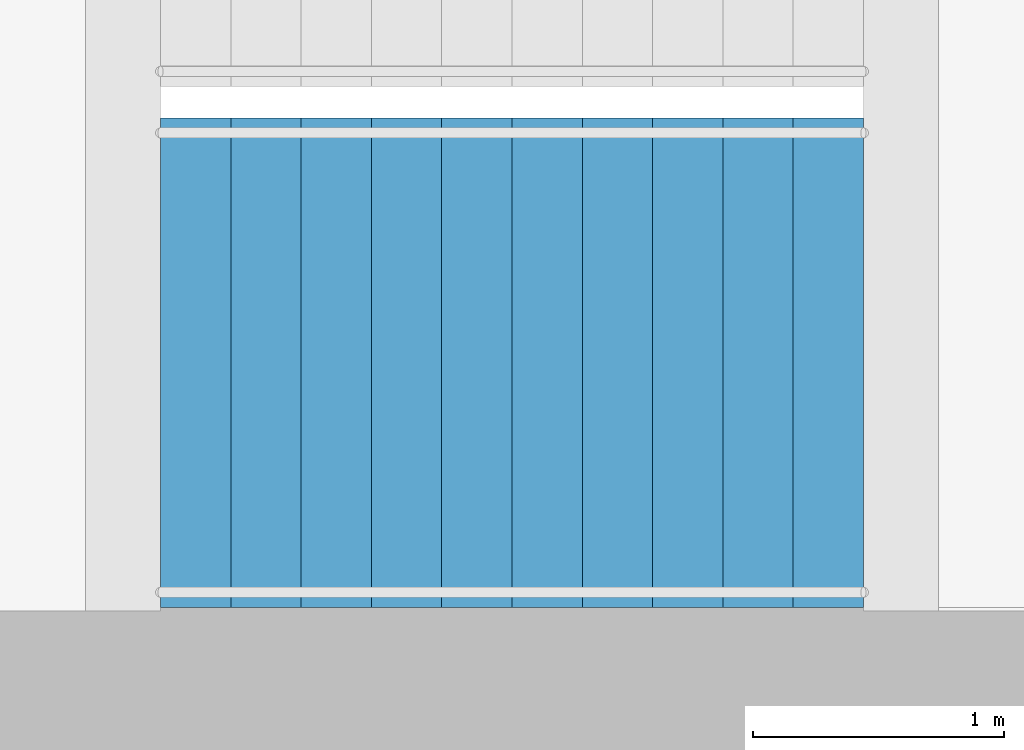
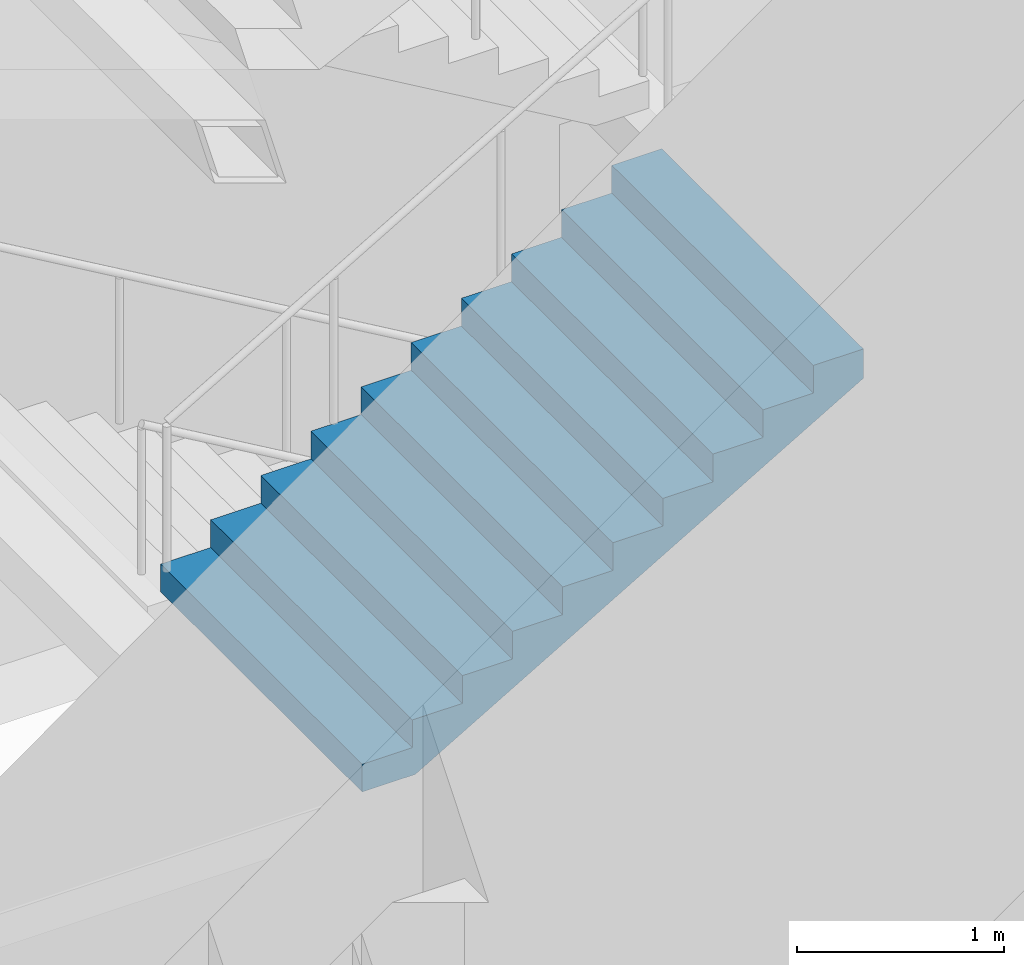
# One storey, part 18 of 22: 1 stair flight, 1 element without a shape of its own.
"""IFC4 building model written with IfcOpenShell, lengths in metres."""

from ifc_helpers import new_model, si_unit, direction, frame, origin, place, context, subcontext, project, spatial, triangles, material, type_object, element, aggregate, save


model = new_model("IFC4")

# Units and contexts
model_context = context("Model", 3, precision=1e-05, world=origin(), true_north=direction((0.0, 1.0)))
body_context = subcontext(model_context, "Body", "Model", "MODEL_VIEW")
ifc_project = project(units=[si_unit("LENGTHUNIT", "METRE"), si_unit("AREAUNIT", "SQUARE_METRE"), si_unit("VOLUMEUNIT", "CUBIC_METRE"), si_unit("PLANEANGLEUNIT", "RADIAN"), si_unit("MASSUNIT", "GRAM", prefix="KILO")], contexts=[model_context])

# Site, building, storey
site_placement = place(None, origin())
site = spatial("IfcSite", under=ifc_project, at=site_placement, CompositionType="ELEMENT")
building_placement = place(site_placement, origin())
building = spatial("IfcBuilding", under=site, at=building_placement, Name="Orbita Commons", CompositionType="ELEMENT")
storey_placement = place(building_placement, frame((0.0, 0.0, 201.10009765625)))
storey = spatial("IfcBuildingStorey", under=building, at=storey_placement, Name="L50", CompositionType="ELEMENT", Elevation=201.10009765625)

# Stair, stair flight
ifc_material_1 = material(Name="Precast concrete C40/50", Category="concrete")
stair_type = type_object("IfcStairType", Name="Exit stair S2 4 flights 11 risers 164", PredefinedType="HALF_TURN_STAIR", material=ifc_material_1)
stair_placement = place(storey_placement, origin())
stair = element("IfcStair", 1, at=stair_placement, inside=storey, type_object=stair_type, Name="Exit stair S2 L50", PredefinedType="HALF_TURN_STAIR")
ifc_material_2 = material(Name="Precast concrete C40/50", Category="concrete")
stair_flight_type = type_object("IfcStairFlightType", Name="Stair flight 11 risers 164 x 280", PredefinedType="STRAIGHT", material=ifc_material_2)
stair_flight_placement = place(storey_placement, frame((60.75, 27.199951171875, 1.7998046875), z_axis=(0.0, 0.0, 1.0), x_axis=(1.0, 0.0, 0.0)))
stair_flight = element("IfcStairFlight", 2, at=stair_flight_placement, type_object=stair_flight_type, Name="S2 flight 2", NumberOfRisers=11, NumberOfTreads=10, PredefinedType="STRAIGHT", RiserHeight=0.163636364, TreadLength=0.28, context=body_context, shape_type="Tessellation", body=[
    triangles([(0.0, 0.974976, 0.0), (0.0, 0.974976, 0.020455), (0.0, 0.81248, 0.020455), (0.0, 0.81248, 0.0), (0.0, 0.649984, 0.020455), (0.0, 0.649984, 0.0), (0.0, 0.487488, 0.020455), (0.0, 0.487488, 0.0), (0.0, 0.324992, 0.020455), (0.0, 0.324992, 0.0), (0.0, 0.162496, 0.020455), (0.0, 0.162496, 0.0), (0.0, 0.0, 0.020455), (0.0, 0.0, 0.0), (0.0, -0.162496, 0.020455), (0.0, -0.162496, 0.0), (0.0, -0.324992, 0.020455), (0.0, -0.324992, 0.0), (0.0, -0.487488, 0.020455), (0.0, -0.487488, 0.0), (0.0, -0.649984, 0.020455), (0.0, -0.649984, 0.0), (0.0, -0.81248, 0.020455), (0.0, -0.81248, 0.0), (0.0, -0.974976, 0.020455), (0.0, -0.974976, 0.0), (0.0, 0.974976, 0.040909), (0.0, 0.81248, 0.040909), (0.0, 0.649984, 0.040909), (0.0, 0.487488, 0.040909), (0.0, 0.324992, 0.040909), (0.0, 0.162496, 0.040909), (0.0, 0.0, 0.040909), (0.0, -0.162496, 0.040909), (0.0, -0.324992, 0.040909), (0.0, -0.487488, 0.040909), (0.0, -0.649984, 0.040909), (0.0, -0.81248, 0.040909), (0.0, -0.974976, 0.040909), (0.0, 0.974976, 0.061364), (0.0, 0.81248, 0.061364), (0.0, 0.649984, 0.061364), (0.0, 0.487488, 0.061364), (0.0, 0.324992, 0.061364), (0.0, 0.162496, 0.061364), (0.0, 0.0, 0.061364), (0.0, -0.162496, 0.061364), (0.0, -0.324992, 0.061364), (0.0, -0.487488, 0.061364), (0.0, -0.649984, 0.061364), (0.0, -0.81248, 0.061364), (0.0, -0.974976, 0.061364), (0.0, 0.974976, 0.081818), (0.0, 0.81248, 0.081818), (0.0, 0.649984, 0.081818), (0.0, 0.487488, 0.081818), (0.0, 0.324992, 0.081818), (0.0, 0.162496, 0.081818), (0.0, 0.0, 0.081818), (0.0, -0.162496, 0.081818), (0.0, -0.324992, 0.081818), (0.0, -0.487488, 0.081818), (0.0, -0.649984, 0.081818), (0.0, -0.81248, 0.081818), (0.0, -0.974976, 0.081818), (0.0, 0.974976, 0.102273), (0.0, 0.81248, 0.102273), (0.0, 0.649984, 0.102273), (0.0, 0.487488, 0.102273), (0.0, 0.324992, 0.102273), (0.0, 0.162496, 0.102273), (0.0, 0.0, 0.102273), (0.0, -0.162496, 0.102273), (0.0, -0.324992, 0.102273), (0.0, -0.487488, 0.102273), (0.0, -0.649984, 0.102273), (0.0, -0.81248, 0.102273), (0.0, -0.974976, 0.102273), (0.0, 0.974976, 0.122727), (0.0, 0.81248, 0.122727), (0.0, 0.649984, 0.122727), (0.0, 0.487488, 0.122727), (0.0, 0.324992, 0.122727), (0.0, 0.162496, 0.122727), (0.0, 0.0, 0.122727), (0.0, -0.162496, 0.122727), (0.0, -0.324992, 0.122727), (0.0, -0.487488, 0.122727), (0.0, -0.649984, 0.122727), (0.0, -0.81248, 0.122727), (0.0, -0.974976, 0.122727), (0.0, 0.974976, 0.143182), (0.0, 0.81248, 0.143182), (0.0, 0.649984, 0.143182), (0.0, 0.487488, 0.143182), (0.0, 0.324992, 0.143182), (0.0, 0.162496, 0.143182), (0.0, 0.0, 0.143182), (0.0, -0.162496, 0.143182), (0.0, -0.324992, 0.143182), (0.0, -0.487488, 0.143182), (0.0, -0.649984, 0.143182), (0.0, -0.81248, 0.143182), (0.0, -0.974976, 0.143182), (0.0, 0.974976, 0.163636), (0.0, 0.81248, 0.163636), (0.0, 0.649984, 0.163636), (0.0, 0.487488, 0.163636), (0.0, 0.324992, 0.163636), (0.0, 0.162496, 0.163636), (0.0, 0.0, 0.163636), (0.0, -0.162496, 0.163636), (0.0, -0.324992, 0.163636), (0.0, -0.487488, 0.163636), (0.0, -0.649984, 0.163636), (0.0, -0.81248, 0.163636), (0.0, -0.974976, 0.163636), (0.28, 0.974976, 0.163636), (0.28, 0.81248, 0.163636), (0.28, 0.649984, 0.163636), (0.28, 0.487488, 0.163636), (0.28, 0.324992, 0.163636), (0.28, 0.162496, 0.163636), (0.28, 0.0, 0.163636), (0.28, -0.162496, 0.163636), (0.28, -0.324992, 0.163636), (0.28, -0.487488, 0.163636), (0.28, -0.649984, 0.163636), (0.28, -0.81248, 0.163636), (0.28, -0.974976, 0.163636), (0.28, 0.974976, 0.327273), (0.28, 0.81248, 0.327273), (0.28, 0.649984, 0.327273), (0.28, 0.487488, 0.327273), (0.28, 0.324992, 0.327273), (0.28, 0.162496, 0.327273), (0.28, 0.0, 0.327273), (0.28, -0.162496, 0.327273), (0.28, -0.324992, 0.327273), (0.28, -0.487488, 0.327273), (0.28, -0.649984, 0.327273), (0.28, -0.81248, 0.327273), (0.28, -0.974976, 0.327273), (0.56, 0.974976, 0.327273), (0.56, 0.81248, 0.327273), (0.56, 0.649984, 0.327273), (0.56, 0.487488, 0.327273), (0.56, 0.324992, 0.327273), (0.56, 0.162496, 0.327273), (0.56, 0.0, 0.327273), (0.56, -0.162496, 0.327273), (0.56, -0.324992, 0.327273), (0.56, -0.487488, 0.327273), (0.56, -0.649984, 0.327273), (0.56, -0.81248, 0.327273), (0.56, -0.974976, 0.327273), (0.56, 0.974976, 0.490909), (0.56, 0.81248, 0.490909), (0.56, 0.649984, 0.490909), (0.56, 0.487488, 0.490909), (0.56, 0.324992, 0.490909), (0.56, 0.162496, 0.490909), (0.56, 0.0, 0.490909), (0.56, -0.162496, 0.490909), (0.56, -0.324992, 0.490909), (0.56, -0.487488, 0.490909), (0.56, -0.649984, 0.490909), (0.56, -0.81248, 0.490909), (0.56, -0.974976, 0.490909), (0.84, 0.974976, 0.490909), (0.84, 0.81248, 0.490909), (0.84, 0.649984, 0.490909), (0.84, 0.487488, 0.490909), (0.84, 0.324992, 0.490909), (0.84, 0.162496, 0.490909), (0.84, 0.0, 0.490909), (0.84, -0.162496, 0.490909), (0.84, -0.324992, 0.490909), (0.84, -0.487488, 0.490909), (0.84, -0.649984, 0.490909), (0.84, -0.81248, 0.490909), (0.84, -0.974976, 0.490909), (0.84, 0.974976, 0.654545), (0.84, 0.81248, 0.654545), (0.84, 0.649984, 0.654545), (0.84, 0.487488, 0.654545), (0.84, 0.324992, 0.654545), (0.84, 0.162496, 0.654545), (0.84, 0.0, 0.654545), (0.84, -0.162496, 0.654545), (0.84, -0.324992, 0.654545), (0.84, -0.487488, 0.654545), (0.84, -0.649984, 0.654545), (0.84, -0.81248, 0.654545), (0.84, -0.974976, 0.654545), (1.12, 0.974976, 0.654545), (1.12, 0.81248, 0.654545), (1.12, 0.649984, 0.654545), (1.12, 0.487488, 0.654545), (1.12, 0.324992, 0.654545), (1.12, 0.162496, 0.654545), (1.12, 0.0, 0.654545), (1.12, -0.162496, 0.654545), (1.12, -0.324992, 0.654545), (1.12, -0.487488, 0.654545), (1.12, -0.649984, 0.654545), (1.12, -0.81248, 0.654545), (1.12, -0.974976, 0.654545), (1.12, 0.974976, 0.818182), (1.12, 0.81248, 0.818182), (1.12, 0.649984, 0.818182), (1.12, 0.487488, 0.818182), (1.12, 0.324992, 0.818182), (1.12, 0.162496, 0.818182), (1.12, 0.0, 0.818182), (1.12, -0.162496, 0.818182), (1.12, -0.324992, 0.818182), (1.12, -0.487488, 0.818182), (1.12, -0.649984, 0.818182), (1.12, -0.81248, 0.818182), (1.12, -0.974976, 0.818182), (1.4, 0.974976, 0.818182), (1.4, 0.81248, 0.818182), (1.4, 0.649984, 0.818182), (1.4, 0.487488, 0.818182), (1.4, 0.324992, 0.818182), (1.4, 0.162496, 0.818182), (1.4, 0.0, 0.818182), (1.4, -0.162496, 0.818182), (1.4, -0.324992, 0.818182), (1.4, -0.487488, 0.818182), (1.4, -0.649984, 0.818182), (1.4, -0.81248, 0.818182), (1.4, -0.974976, 0.818182), (1.4, 0.974976, 0.981818), (1.4, 0.81248, 0.981818), (1.4, 0.649984, 0.981818), (1.4, 0.487488, 0.981818), (1.4, 0.324992, 0.981818), (1.4, 0.162496, 0.981818), (1.4, 0.0, 0.981818), (1.4, -0.162496, 0.981818), (1.4, -0.324992, 0.981818), (1.4, -0.487488, 0.981818), (1.4, -0.649984, 0.981818), (1.4, -0.81248, 0.981818), (1.4, -0.974976, 0.981818), (1.68, 0.974976, 0.981818), (1.68, 0.81248, 0.981818), (1.68, 0.649984, 0.981818), (1.68, 0.487488, 0.981818), (1.68, 0.324992, 0.981818), (1.68, 0.162496, 0.981818), (1.68, 0.0, 0.981818), (1.68, -0.162496, 0.981818), (1.68, -0.324992, 0.981818), (1.68, -0.487488, 0.981818), (1.68, -0.649984, 0.981818), (1.68, -0.81248, 0.981818), (1.68, -0.974976, 0.981818), (1.68, 0.974976, 1.145455), (1.68, 0.81248, 1.145455), (1.68, 0.649984, 1.145455), (1.68, 0.487488, 1.145455), (1.68, 0.324992, 1.145455), (1.68, 0.162496, 1.145455), (1.68, 0.0, 1.145455), (1.68, -0.162496, 1.145455), (1.68, -0.324992, 1.145455), (1.68, -0.487488, 1.145455), (1.68, -0.649984, 1.145455), (1.68, -0.81248, 1.145455), (1.68, -0.974976, 1.145455), (1.96, 0.974976, 1.145455), (1.96, 0.81248, 1.145455), (1.96, 0.649984, 1.145455), (1.96, 0.487488, 1.145455), (1.96, 0.324992, 1.145455), (1.96, 0.162496, 1.145455), (1.96, 0.0, 1.145455), (1.96, -0.162496, 1.145455), (1.96, -0.324992, 1.145455), (1.96, -0.487488, 1.145455), (1.96, -0.649984, 1.145455), (1.96, -0.81248, 1.145455), (1.96, -0.974976, 1.145455), (1.96, 0.974976, 1.309091), (1.96, 0.81248, 1.309091), (1.96, 0.649984, 1.309091), (1.96, 0.487488, 1.309091), (1.96, 0.324992, 1.309091), (1.96, 0.162496, 1.309091), (1.96, 0.0, 1.309091), (1.96, -0.162496, 1.309091), (1.96, -0.324992, 1.309091), (1.96, -0.487488, 1.309091), (1.96, -0.649984, 1.309091), (1.96, -0.81248, 1.309091), (1.96, -0.974976, 1.309091), (2.24, 0.974976, 1.309091), (2.24, 0.81248, 1.309091), (2.24, 0.649984, 1.309091), (2.24, 0.487488, 1.309091), (2.24, 0.324992, 1.309091), (2.24, 0.162496, 1.309091), (2.24, 0.0, 1.309091), (2.24, -0.162496, 1.309091), (2.24, -0.324992, 1.309091), (2.24, -0.487488, 1.309091), (2.24, -0.649984, 1.309091), (2.24, -0.81248, 1.309091), (2.24, -0.974976, 1.309091), (2.24, 0.974976, 1.472727), (2.24, 0.81248, 1.472727), (2.24, 0.649984, 1.472727), (2.24, 0.487488, 1.472727), (2.24, 0.324992, 1.472727), (2.24, 0.162496, 1.472727), (2.24, 0.0, 1.472727), (2.24, -0.162496, 1.472727), (2.24, -0.324992, 1.472727), (2.24, -0.487488, 1.472727), (2.24, -0.649984, 1.472727), (2.24, -0.81248, 1.472727), (2.24, -0.974976, 1.472727), (2.52, 0.974976, 1.472727), (2.52, 0.81248, 1.472727), (2.52, 0.649984, 1.472727), (2.52, 0.487488, 1.472727), (2.52, 0.324992, 1.472727), (2.52, 0.162496, 1.472727), (2.52, 0.0, 1.472727), (2.52, -0.162496, 1.472727), (2.52, -0.324992, 1.472727), (2.52, -0.487488, 1.472727), (2.52, -0.649984, 1.472727), (2.52, -0.81248, 1.472727), (2.52, -0.974976, 1.472727), (2.52, 0.974976, 1.636364), (2.52, 0.81248, 1.636364), (2.52, 0.649984, 1.636364), (2.52, 0.487488, 1.636364), (2.52, 0.324992, 1.636364), (2.52, 0.162496, 1.636364), (2.52, 0.0, 1.636364), (2.52, -0.162496, 1.636364), (2.52, -0.324992, 1.636364), (2.52, -0.487488, 1.636364), (2.52, -0.649984, 1.636364), (2.52, -0.81248, 1.636364), (2.52, -0.974976, 1.636364), (2.8, 0.974976, 1.636364), (2.8, 0.81248, 1.636364), (2.8, 0.649984, 1.636364), (2.8, 0.487488, 1.636364), (2.8, 0.324992, 1.636364), (2.8, 0.162496, 1.636364), (2.8, 0.0, 1.636364), (2.8, -0.162496, 1.636364), (2.8, -0.324992, 1.636364), (2.8, -0.487488, 1.636364), (2.8, -0.649984, 1.636364), (2.8, -0.81248, 1.636364), (2.8, -0.974976, 1.636364), (2.8, 0.974976, 1.614661), (2.8, 0.81248, 1.614661), (2.8, 0.649984, 1.614661), (2.8, 0.487488, 1.614661), (2.8, 0.324992, 1.614661), (2.8, 0.162496, 1.614661), (2.8, 0.0, 1.614661), (2.8, -0.162496, 1.614661), (2.8, -0.324992, 1.614661), (2.8, -0.487488, 1.614661), (2.8, -0.649984, 1.614661), (2.8, -0.81248, 1.614661), (2.8, -0.974976, 1.614661), (2.8, 0.974976, 1.592958), (2.8, 0.81248, 1.592958), (2.8, 0.649984, 1.592958), (2.8, 0.487488, 1.592958), (2.8, 0.324992, 1.592958), (2.8, 0.162496, 1.592958), (2.8, 0.0, 1.592958), (2.8, -0.162496, 1.592958), (2.8, -0.324992, 1.592958), (2.8, -0.487488, 1.592958), (2.8, -0.649984, 1.592958), (2.8, -0.81248, 1.592958), (2.8, -0.974976, 1.592958), (2.8, 0.974976, 1.571255), (2.8, 0.81248, 1.571255), (2.8, 0.649984, 1.571255), (2.8, 0.487488, 1.571255), (2.8, 0.324992, 1.571255), (2.8, 0.162496, 1.571255), (2.8, 0.0, 1.571255), (2.8, -0.162496, 1.571255), (2.8, -0.324992, 1.571255), (2.8, -0.487488, 1.571255), (2.8, -0.649984, 1.571255), (2.8, -0.81248, 1.571255), (2.8, -0.974976, 1.571255), (2.8, 0.974976, 1.549551), (2.8, 0.81248, 1.549551), (2.8, 0.649984, 1.549551), (2.8, 0.487488, 1.549551), (2.8, 0.324992, 1.549551), (2.8, 0.162496, 1.549551), (2.8, 0.0, 1.549551), (2.8, -0.162496, 1.549551), (2.8, -0.324992, 1.549551), (2.8, -0.487488, 1.549551), (2.8, -0.649984, 1.549551), (2.8, -0.81248, 1.549551), (2.8, -0.974976, 1.549551), (2.8, 0.974976, 1.527848), (2.8, 0.81248, 1.527848), (2.8, 0.649984, 1.527848), (2.8, 0.487488, 1.527848), (2.8, 0.324992, 1.527848), (2.8, 0.162496, 1.527848), (2.8, 0.0, 1.527848), (2.8, -0.162496, 1.527848), (2.8, -0.324992, 1.527848), (2.8, -0.487488, 1.527848), (2.8, -0.649984, 1.527848), (2.8, -0.81248, 1.527848), (2.8, -0.974976, 1.527848), (2.8, 0.974976, 1.506145), (2.8, 0.81248, 1.506145), (2.8, 0.649984, 1.506145), (2.8, 0.487488, 1.506145), (2.8, 0.324992, 1.506145), (2.8, 0.162496, 1.506145), (2.8, 0.0, 1.506145), (2.8, -0.162496, 1.506145), (2.8, -0.324992, 1.506145), (2.8, -0.487488, 1.506145), (2.8, -0.649984, 1.506145), (2.8, -0.81248, 1.506145), (2.8, -0.974976, 1.506145), (2.8, 0.974976, 1.484442), (2.8, 0.81248, 1.484442), (2.8, 0.649984, 1.484442), (2.8, 0.487488, 1.484442), (2.8, 0.324992, 1.484442), (2.8, 0.162496, 1.484442), (2.8, 0.0, 1.484442), (2.8, -0.162496, 1.484442), (2.8, -0.324992, 1.484442), (2.8, -0.487488, 1.484442), (2.8, -0.649984, 1.484442), (2.8, -0.81248, 1.484442), (2.8, -0.974976, 1.484442), (2.8, 0.974976, 1.462739), (2.8, 0.81248, 1.462739), (2.8, 0.649984, 1.462739), (2.8, 0.487488, 1.462739), (2.8, 0.324992, 1.462739), (2.8, 0.162496, 1.462739), (2.8, 0.0, 1.462739), (2.8, -0.162496, 1.462739), (2.8, -0.324992, 1.462739), (2.8, -0.487488, 1.462739), (2.8, -0.649984, 1.462739), (2.8, -0.81248, 1.462739), (2.8, -0.974976, 1.462739), (0.29709, 0.974976, 0.0), (0.29709, 0.81248, 0.0), (0.29709, 0.649984, 0.0), (0.29709, 0.487488, 0.0), (0.29709, 0.324992, 0.0), (0.29709, 0.162496, 0.0), (0.29709, 0.0, 0.0), (0.29709, -0.162496, 0.0), (0.29709, -0.324992, 0.0), (0.29709, -0.487488, 0.0), (0.29709, -0.649984, 0.0), (0.29709, -0.81248, 0.0), (0.29709, -0.974976, 0.0)], [[3, 2, 1], [4, 3, 1], [5, 3, 4], [6, 5, 4], [7, 5, 6], [8, 7, 6], [9, 7, 8], [10, 9, 8], [11, 9, 10], [12, 11, 10], [13, 11, 12], [14, 13, 12], [15, 13, 14], [16, 15, 14], [17, 15, 16], [18, 17, 16], [19, 17, 18], [20, 19, 18], [21, 19, 20], [22, 21, 20], [23, 21, 22], [24, 23, 22], [25, 23, 24], [26, 25, 24], [28, 27, 2], [3, 28, 2], [29, 28, 3], [5, 29, 3], [30, 29, 5], [7, 30, 5], [31, 30, 7], [9, 31, 7], [32, 31, 9], [11, 32, 9], [33, 32, 11], [13, 33, 11], [34, 33, 13], [15, 34, 13], [35, 34, 15], [17, 35, 15], [36, 35, 17], [19, 36, 17], [37, 36, 19], [21, 37, 19], [38, 37, 21], [23, 38, 21], [39, 38, 23], [25, 39, 23], [41, 40, 27], [28, 41, 27], [42, 41, 28], [29, 42, 28], [43, 42, 29], [30, 43, 29], [44, 43, 30], [31, 44, 30], [45, 44, 31], [32, 45, 31], [46, 45, 32], [33, 46, 32], [47, 46, 33], [34, 47, 33], [48, 47, 34], [35, 48, 34], [49, 48, 35], [36, 49, 35], [50, 49, 36], [37, 50, 36], [51, 50, 37], [38, 51, 37], [52, 51, 38], [39, 52, 38], [54, 53, 40], [41, 54, 40], [55, 54, 41], [42, 55, 41], [56, 55, 42], [43, 56, 42], [57, 56, 43], [44, 57, 43], [58, 57, 44], [45, 58, 44], [59, 58, 45], [46, 59, 45], [60, 59, 46], [47, 60, 46], [61, 60, 47], [48, 61, 47], [62, 61, 48], [49, 62, 48], [63, 62, 49], [50, 63, 49], [64, 63, 50], [51, 64, 50], [65, 64, 51], [52, 65, 51], [67, 66, 53], [54, 67, 53], [68, 67, 54], [55, 68, 54], [69, 68, 55], [56, 69, 55], [70, 69, 56], [57, 70, 56], [71, 70, 57], [58, 71, 57], [72, 71, 58], [59, 72, 58], [73, 72, 59], [60, 73, 59], [74, 73, 60], [61, 74, 60], [75, 74, 61], [62, 75, 61], [76, 75, 62], [63, 76, 62], [77, 76, 63], [64, 77, 63], [78, 77, 64], [65, 78, 64], [80, 79, 66], [67, 80, 66], [81, 80, 67], [68, 81, 67], [82, 81, 68], [69, 82, 68], [83, 82, 69], [70, 83, 69], [84, 83, 70], [71, 84, 70], [85, 84, 71], [72, 85, 71], [86, 85, 72], [73, 86, 72], [87, 86, 73], [74, 87, 73], [88, 87, 74], [75, 88, 74], [89, 88, 75], [76, 89, 75], [90, 89, 76], [77, 90, 76], [91, 90, 77], [78, 91, 77], [93, 92, 79], [80, 93, 79], [94, 93, 80], [81, 94, 80], [95, 94, 81], [82, 95, 81], [96, 95, 82], [83, 96, 82], [97, 96, 83], [84, 97, 83], [98, 97, 84], [85, 98, 84], [99, 98, 85], [86, 99, 85], [100, 99, 86], [87, 100, 86], [101, 100, 87], [88, 101, 87], [102, 101, 88], [89, 102, 88], [103, 102, 89], [90, 103, 89], [104, 103, 90], [91, 104, 90], [106, 105, 92], [93, 106, 92], [107, 106, 93], [94, 107, 93], [108, 107, 94], [95, 108, 94], [109, 108, 95], [96, 109, 95], [110, 109, 96], [97, 110, 96], [111, 110, 97], [98, 111, 97], [112, 111, 98], [99, 112, 98], [113, 112, 99], [100, 113, 99], [114, 113, 100], [101, 114, 100], [115, 114, 101], [102, 115, 101], [116, 115, 102], [103, 116, 102], [117, 116, 103], [104, 117, 103], [119, 118, 105], [106, 119, 105], [120, 119, 106], [107, 120, 106], [121, 120, 107], [108, 121, 107], [122, 121, 108], [109, 122, 108], [123, 122, 109], [110, 123, 109], [124, 123, 110], [111, 124, 110], [125, 124, 111], [112, 125, 111], [126, 125, 112], [113, 126, 112], [127, 126, 113], [114, 127, 113], [128, 127, 114], [115, 128, 114], [129, 128, 115], [116, 129, 115], [130, 129, 116], [117, 130, 116], [132, 131, 118], [119, 132, 118], [133, 132, 119], [120, 133, 119], [134, 133, 120], [121, 134, 120], [135, 134, 121], [122, 135, 121], [136, 135, 122], [123, 136, 122], [137, 136, 123], [124, 137, 123], [138, 137, 124], [125, 138, 124], [139, 138, 125], [126, 139, 125], [140, 139, 126], [127, 140, 126], [141, 140, 127], [128, 141, 127], [142, 141, 128], [129, 142, 128], [143, 142, 129], [130, 143, 129], [145, 144, 131], [132, 145, 131], [146, 145, 132], [133, 146, 132], [147, 146, 133], [134, 147, 133], [148, 147, 134], [135, 148, 134], [149, 148, 135], [136, 149, 135], [150, 149, 136], [137, 150, 136], [151, 150, 137], [138, 151, 137], [152, 151, 138], [139, 152, 138], [153, 152, 139], [140, 153, 139], [154, 153, 140], [141, 154, 140], [155, 154, 141], [142, 155, 141], [156, 155, 142], [143, 156, 142], [158, 157, 144], [145, 158, 144], [159, 158, 145], [146, 159, 145], [160, 159, 146], [147, 160, 146], [161, 160, 147], [148, 161, 147], [162, 161, 148], [149, 162, 148], [163, 162, 149], [150, 163, 149], [164, 163, 150], [151, 164, 150], [165, 164, 151], [152, 165, 151], [166, 165, 152], [153, 166, 152], [167, 166, 153], [154, 167, 153], [168, 167, 154], [155, 168, 154], [169, 168, 155], [156, 169, 155], [171, 170, 157], [158, 171, 157], [172, 171, 158], [159, 172, 158], [173, 172, 159], [160, 173, 159], [174, 173, 160], [161, 174, 160], [175, 174, 161], [162, 175, 161], [176, 175, 162], [163, 176, 162], [177, 176, 163], [164, 177, 163], [178, 177, 164], [165, 178, 164], [179, 178, 165], [166, 179, 165], [180, 179, 166], [167, 180, 166], [181, 180, 167], [168, 181, 167], [182, 181, 168], [169, 182, 168], [184, 183, 170], [171, 184, 170], [185, 184, 171], [172, 185, 171], [186, 185, 172], [173, 186, 172], [187, 186, 173], [174, 187, 173], [188, 187, 174], [175, 188, 174], [189, 188, 175], [176, 189, 175], [190, 189, 176], [177, 190, 176], [191, 190, 177], [178, 191, 177], [192, 191, 178], [179, 192, 178], [193, 192, 179], [180, 193, 179], [194, 193, 180], [181, 194, 180], [195, 194, 181], [182, 195, 181], [197, 196, 183], [184, 197, 183], [198, 197, 184], [185, 198, 184], [199, 198, 185], [186, 199, 185], [200, 199, 186], [187, 200, 186], [201, 200, 187], [188, 201, 187], [202, 201, 188], [189, 202, 188], [203, 202, 189], [190, 203, 189], [204, 203, 190], [191, 204, 190], [205, 204, 191], [192, 205, 191], [206, 205, 192], [193, 206, 192], [207, 206, 193], [194, 207, 193], [208, 207, 194], [195, 208, 194], [210, 209, 196], [197, 210, 196], [211, 210, 197], [198, 211, 197], [212, 211, 198], [199, 212, 198], [213, 212, 199], [200, 213, 199], [214, 213, 200], [201, 214, 200], [215, 214, 201], [202, 215, 201], [216, 215, 202], [203, 216, 202], [217, 216, 203], [204, 217, 203], [218, 217, 204], [205, 218, 204], [219, 218, 205], [206, 219, 205], [220, 219, 206], [207, 220, 206], [221, 220, 207], [208, 221, 207], [223, 222, 209], [210, 223, 209], [224, 223, 210], [211, 224, 210], [225, 224, 211], [212, 225, 211], [226, 225, 212], [213, 226, 212], [227, 226, 213], [214, 227, 213], [228, 227, 214], [215, 228, 214], [229, 228, 215], [216, 229, 215], [230, 229, 216], [217, 230, 216], [231, 230, 217], [218, 231, 217], [232, 231, 218], [219, 232, 218], [233, 232, 219], [220, 233, 219], [234, 233, 220], [221, 234, 220], [236, 235, 222], [223, 236, 222], [237, 236, 223], [224, 237, 223], [238, 237, 224], [225, 238, 224], [239, 238, 225], [226, 239, 225], [240, 239, 226], [227, 240, 226], [241, 240, 227], [228, 241, 227], [242, 241, 228], [229, 242, 228], [243, 242, 229], [230, 243, 229], [244, 243, 230], [231, 244, 230], [245, 244, 231], [232, 245, 231], [246, 245, 232], [233, 246, 232], [247, 246, 233], [234, 247, 233], [249, 248, 235], [236, 249, 235], [250, 249, 236], [237, 250, 236], [251, 250, 237], [238, 251, 237], [252, 251, 238], [239, 252, 238], [253, 252, 239], [240, 253, 239], [254, 253, 240], [241, 254, 240], [255, 254, 241], [242, 255, 241], [256, 255, 242], [243, 256, 242], [257, 256, 243], [244, 257, 243], [258, 257, 244], [245, 258, 244], [259, 258, 245], [246, 259, 245], [260, 259, 246], [247, 260, 246], [262, 261, 248], [249, 262, 248], [263, 262, 249], [250, 263, 249], [264, 263, 250], [251, 264, 250], [265, 264, 251], [252, 265, 251], [266, 265, 252], [253, 266, 252], [267, 266, 253], [254, 267, 253], [268, 267, 254], [255, 268, 254], [269, 268, 255], [256, 269, 255], [270, 269, 256], [257, 270, 256], [271, 270, 257], [258, 271, 257], [272, 271, 258], [259, 272, 258], [273, 272, 259], [260, 273, 259], [275, 274, 261], [262, 275, 261], [276, 275, 262], [263, 276, 262], [277, 276, 263], [264, 277, 263], [278, 277, 264], [265, 278, 264], [279, 278, 265], [266, 279, 265], [280, 279, 266], [267, 280, 266], [281, 280, 267], [268, 281, 267], [282, 281, 268], [269, 282, 268], [283, 282, 269], [270, 283, 269], [284, 283, 270], [271, 284, 270], [285, 284, 271], [272, 285, 271], [286, 285, 272], [273, 286, 272], [288, 287, 274], [275, 288, 274], [289, 288, 275], [276, 289, 275], [290, 289, 276], [277, 290, 276], [291, 290, 277], [278, 291, 277], [292, 291, 278], [279, 292, 278], [293, 292, 279], [280, 293, 279], [294, 293, 280], [281, 294, 280], [295, 294, 281], [282, 295, 281], [296, 295, 282], [283, 296, 282], [297, 296, 283], [284, 297, 283], [298, 297, 284], [285, 298, 284], [299, 298, 285], [286, 299, 285], [301, 300, 287], [288, 301, 287], [302, 301, 288], [289, 302, 288], [303, 302, 289], [290, 303, 289], [304, 303, 290], [291, 304, 290], [305, 304, 291], [292, 305, 291], [306, 305, 292], [293, 306, 292], [307, 306, 293], [294, 307, 293], [308, 307, 294], [295, 308, 294], [309, 308, 295], [296, 309, 295], [310, 309, 296], [297, 310, 296], [311, 310, 297], [298, 311, 297], [312, 311, 298], [299, 312, 298], [314, 313, 300], [301, 314, 300], [315, 314, 301], [302, 315, 301], [316, 315, 302], [303, 316, 302], [317, 316, 303], [304, 317, 303], [318, 317, 304], [305, 318, 304], [319, 318, 305], [306, 319, 305], [320, 319, 306], [307, 320, 306], [321, 320, 307], [308, 321, 307], [322, 321, 308], [309, 322, 308], [323, 322, 309], [310, 323, 309], [324, 323, 310], [311, 324, 310], [325, 324, 311], [312, 325, 311], [327, 326, 313], [314, 327, 313], [328, 327, 314], [315, 328, 314], [329, 328, 315], [316, 329, 315], [330, 329, 316], [317, 330, 316], [331, 330, 317], [318, 331, 317], [332, 331, 318], [319, 332, 318], [333, 332, 319], [320, 333, 319], [334, 333, 320], [321, 334, 320], [335, 334, 321], [322, 335, 321], [336, 335, 322], [323, 336, 322], [337, 336, 323], [324, 337, 323], [338, 337, 324], [325, 338, 324], [340, 339, 326], [327, 340, 326], [341, 340, 327], [328, 341, 327], [342, 341, 328], [329, 342, 328], [343, 342, 329], [330, 343, 329], [344, 343, 330], [331, 344, 330], [345, 344, 331], [332, 345, 331], [346, 345, 332], [333, 346, 332], [347, 346, 333], [334, 347, 333], [348, 347, 334], [335, 348, 334], [349, 348, 335], [336, 349, 335], [350, 349, 336], [337, 350, 336], [351, 350, 337], [338, 351, 337], [353, 352, 339], [340, 353, 339], [354, 353, 340], [341, 354, 340], [355, 354, 341], [342, 355, 341], [356, 355, 342], [343, 356, 342], [357, 356, 343], [344, 357, 343], [358, 357, 344], [345, 358, 344], [359, 358, 345], [346, 359, 345], [360, 359, 346], [347, 360, 346], [361, 360, 347], [348, 361, 347], [362, 361, 348], [349, 362, 348], [363, 362, 349], [350, 363, 349], [364, 363, 350], [351, 364, 350], [366, 365, 352], [353, 366, 352], [367, 366, 353], [354, 367, 353], [368, 367, 354], [355, 368, 354], [369, 368, 355], [356, 369, 355], [370, 369, 356], [357, 370, 356], [371, 370, 357], [358, 371, 357], [372, 371, 358], [359, 372, 358], [373, 372, 359], [360, 373, 359], [374, 373, 360], [361, 374, 360], [375, 374, 361], [362, 375, 361], [376, 375, 362], [363, 376, 362], [377, 376, 363], [364, 377, 363], [379, 378, 365], [366, 379, 365], [380, 379, 366], [367, 380, 366], [381, 380, 367], [368, 381, 367], [382, 381, 368], [369, 382, 368], [383, 382, 369], [370, 383, 369], [384, 383, 370], [371, 384, 370], [385, 384, 371], [372, 385, 371], [386, 385, 372], [373, 386, 372], [387, 386, 373], [374, 387, 373], [388, 387, 374], [375, 388, 374], [389, 388, 375], [376, 389, 375], [390, 389, 376], [377, 390, 376], [392, 391, 378], [379, 392, 378], [393, 392, 379], [380, 393, 379], [394, 393, 380], [381, 394, 380], [395, 394, 381], [382, 395, 381], [396, 395, 382], [383, 396, 382], [397, 396, 383], [384, 397, 383], [398, 397, 384], [385, 398, 384], [399, 398, 385], [386, 399, 385], [400, 399, 386], [387, 400, 386], [401, 400, 387], [388, 401, 387], [402, 401, 388], [389, 402, 388], [403, 402, 389], [390, 403, 389], [405, 404, 391], [392, 405, 391], [406, 405, 392], [393, 406, 392], [407, 406, 393], [394, 407, 393], [408, 407, 394], [395, 408, 394], [409, 408, 395], [396, 409, 395], [410, 409, 396], [397, 410, 396], [411, 410, 397], [398, 411, 397], [412, 411, 398], [399, 412, 398], [413, 412, 399], [400, 413, 399], [414, 413, 400], [401, 414, 400], [415, 414, 401], [402, 415, 401], [416, 415, 402], [403, 416, 402], [418, 417, 404], [405, 418, 404], [419, 418, 405], [406, 419, 405], [420, 419, 406], [407, 420, 406], [421, 420, 407], [408, 421, 407], [422, 421, 408], [409, 422, 408], [423, 422, 409], [410, 423, 409], [424, 423, 410], [411, 424, 410], [425, 424, 411], [412, 425, 411], [426, 425, 412], [413, 426, 412], [427, 426, 413], [414, 427, 413], [428, 427, 414], [415, 428, 414], [429, 428, 415], [416, 429, 415], [431, 430, 417], [418, 431, 417], [432, 431, 418], [419, 432, 418], [433, 432, 419], [420, 433, 419], [434, 433, 420], [421, 434, 420], [435, 434, 421], [422, 435, 421], [436, 435, 422], [423, 436, 422], [437, 436, 423], [424, 437, 423], [438, 437, 424], [425, 438, 424], [439, 438, 425], [426, 439, 425], [440, 439, 426], [427, 440, 426], [441, 440, 427], [428, 441, 427], [442, 441, 428], [429, 442, 428], [444, 443, 430], [431, 444, 430], [445, 444, 431], [432, 445, 431], [446, 445, 432], [433, 446, 432], [447, 446, 433], [434, 447, 433], [448, 447, 434], [435, 448, 434], [449, 448, 435], [436, 449, 435], [450, 449, 436], [437, 450, 436], [451, 450, 437], [438, 451, 437], [452, 451, 438], [439, 452, 438], [453, 452, 439], [440, 453, 439], [454, 453, 440], [441, 454, 440], [455, 454, 441], [442, 455, 441], [457, 456, 443], [444, 457, 443], [458, 457, 444], [445, 458, 444], [459, 458, 445], [446, 459, 445], [460, 459, 446], [447, 460, 446], [461, 460, 447], [448, 461, 447], [462, 461, 448], [449, 462, 448], [463, 462, 449], [450, 463, 449], [464, 463, 450], [451, 464, 450], [465, 464, 451], [452, 465, 451], [466, 465, 452], [453, 466, 452], [467, 466, 453], [454, 467, 453], [468, 467, 454], [455, 468, 454], [470, 469, 456], [457, 470, 456], [471, 470, 457], [458, 471, 457], [472, 471, 458], [459, 472, 458], [473, 472, 459], [460, 473, 459], [474, 473, 460], [461, 474, 460], [475, 474, 461], [462, 475, 461], [476, 475, 462], [463, 476, 462], [477, 476, 463], [464, 477, 463], [478, 477, 464], [465, 478, 464], [479, 478, 465], [466, 479, 465], [480, 479, 466], [467, 480, 466], [481, 480, 467], [468, 481, 467], [4, 1, 469], [470, 4, 469], [6, 4, 470], [471, 6, 470], [8, 6, 471], [472, 8, 471], [10, 8, 472], [473, 10, 472], [12, 10, 473], [474, 12, 473], [14, 12, 474], [475, 14, 474], [16, 14, 475], [476, 16, 475], [18, 16, 476], [477, 18, 476], [20, 18, 477], [478, 20, 477], [22, 20, 478], [479, 22, 478], [24, 22, 479], [480, 24, 479], [26, 24, 480], [481, 26, 480], [456, 469, 1], [26, 481, 468], [443, 456, 1], [26, 468, 455], [430, 443, 1], [26, 455, 442], [417, 430, 1], [26, 442, 429], [404, 417, 1], [26, 429, 416], [391, 404, 1], [26, 416, 403], [378, 391, 1], [26, 403, 390], [365, 378, 1], [26, 390, 377], [339, 352, 365], [377, 364, 351], [326, 339, 365], [377, 351, 338], [300, 313, 326], [338, 325, 312], [300, 326, 365], [377, 338, 312], [274, 287, 300], [312, 299, 286], [274, 300, 365], [377, 312, 286], [248, 261, 274], [286, 273, 260], [248, 274, 365], [377, 286, 260], [222, 235, 248], [260, 247, 234], [222, 248, 365], [377, 260, 234], [196, 209, 222], [234, 221, 208], [196, 222, 365], [377, 234, 208], [170, 183, 196], [208, 195, 182], [170, 196, 365], [377, 208, 182], [144, 157, 170], [182, 169, 156], [144, 170, 365], [377, 182, 156], [118, 131, 144], [156, 143, 130], [118, 144, 365], [377, 156, 130], [118, 365, 1], [26, 377, 130], [92, 105, 118], [130, 117, 104], [79, 92, 118], [130, 104, 91], [66, 79, 118], [130, 91, 78], [53, 66, 118], [130, 78, 65], [40, 53, 118], [130, 65, 52], [27, 40, 118], [130, 52, 39], [2, 27, 118], [130, 39, 25], [1, 2, 118], [130, 25, 26]], closed=True),
])
aggregate(stair, [stair_flight])

save(model, "model.ifc")
